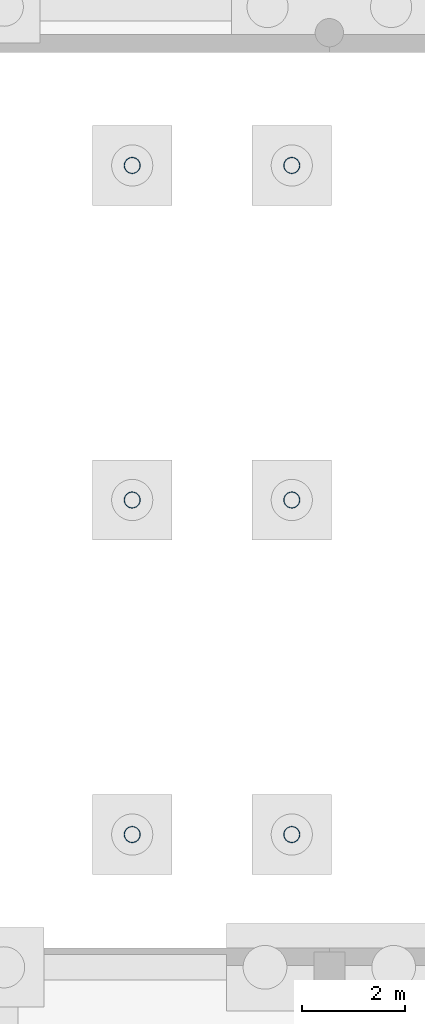
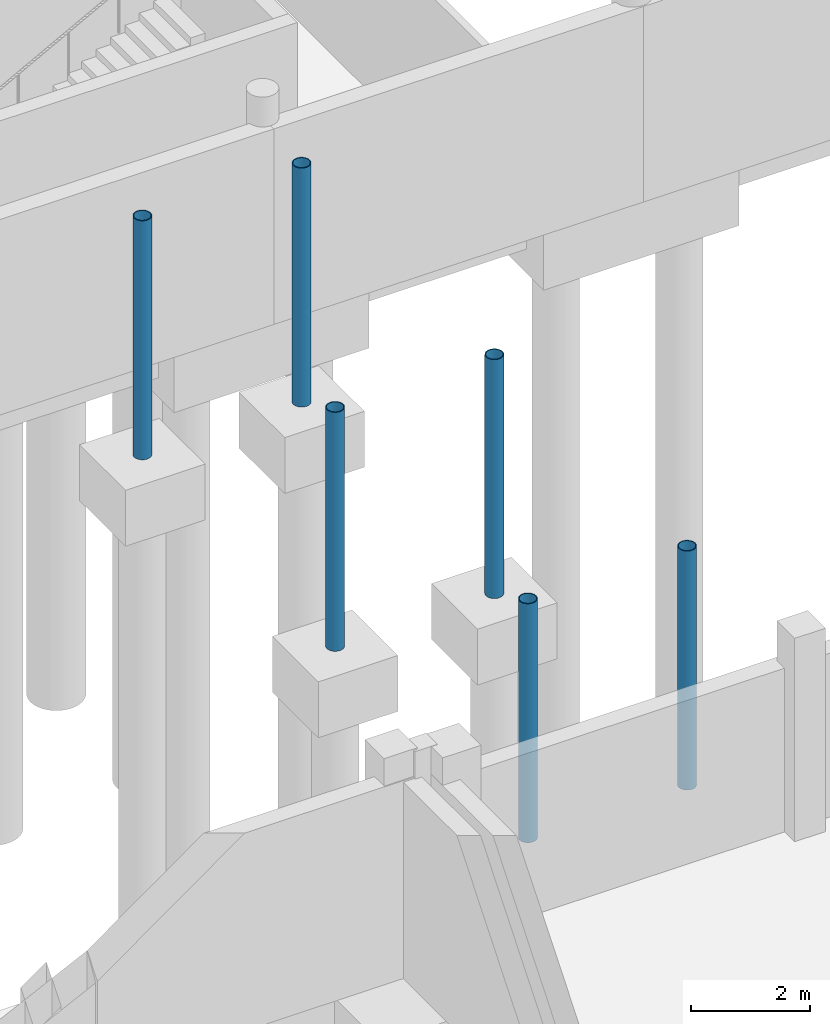
# One storey, part 12 of 41: 6 columns.
"""IFC4 building model written with IfcOpenShell, lengths in metres."""

from ifc_helpers import new_model, si_unit, direction, frame, origin, origin_2d, place, context, subcontext, project, spatial, hollow_circle, extrude, material, material_profile, profile_set, type_object, element, save


model = new_model("IFC4")

# Units and contexts
model_context = context("Model", 3, precision=1e-05, world=origin(), true_north=direction((0.0, 1.0)))
body_context = subcontext(model_context, "Body", "Model", "MODEL_VIEW")
ifc_project = project(units=[si_unit("LENGTHUNIT", "METRE"), si_unit("AREAUNIT", "SQUARE_METRE"), si_unit("VOLUMEUNIT", "CUBIC_METRE"), si_unit("PLANEANGLEUNIT", "RADIAN"), si_unit("MASSUNIT", "GRAM", prefix="KILO")], contexts=[model_context])

# Site, building, storey
site_placement = place(None, origin())
site = spatial("IfcSite", under=ifc_project, at=site_placement, CompositionType="ELEMENT")
building_placement = place(site_placement, origin())
building = spatial("IfcBuilding", under=site, at=building_placement, Name="Vardoun Plaza Health Centre", CompositionType="ELEMENT")
storey_placement = place(building_placement, frame((0.0, 0.0, -4.5)))
storey = spatial("IfcBuildingStorey", under=building, at=storey_placement, Name="B1", CompositionType="ELEMENT", Elevation=-4.5)

# Columns
ifc_material = material(Name="Steel S355J2H", Category="steel")
ifc_material_profile = material_profile(ifc_material, hollow_circle(Radius=0.161865234375, WallThickness=0.01611328125, at=origin_2d()), Name="CHS 323.9x16.0")
ifc_profile_set = profile_set([ifc_material_profile], Name="Steel S355J2H")
column_type = type_object("IfcColumnType", Name="C-20", PredefinedType="COLUMN", material=ifc_profile_set)
for number, where, z_axis, x_axis, name in (
    (1, (51.25, 21.10009765625, -0.419921875), (0.0, 0.0, 1.0), (1.0, 0.0, 0.0), "Bridge BR-06 Court Pier W.1 (B1)"),
    (2, (51.25, 27.60009765625, -0.419921875), (0.0, 0.0, 1.0), (1.0, 0.0, 0.0), "Bridge BR-06 Court Pier W.2 (B1)"),
    (3, (51.25, 34.10009765625, -0.419921875), (0.0, 0.0, 1.0), (1.0, 0.0, 0.0), "Bridge BR-06 Court Pier W.3 (B1)"),
    (4, (54.35009765625, 21.10009765625, -0.419921875), (0.0, 0.0, 1.0), (1.0, 0.0, 0.0), "Bridge BR-06 Court Pier E.1 (B1)"),
    (5, (54.35009765625, 27.60009765625, -0.419921875), (0.0, 0.0, 1.0), (1.0, 0.0, 0.0), "Bridge BR-06 Court Pier E.2 (B1)"),
    (6, (54.35009765625, 34.10009765625, -0.419921875), (0.0, 0.0, 1.0), (1.0, 0.0, 0.0), "Bridge BR-06 Court Pier E.3 (B1)"),
):
    element("IfcColumn", number, at=place(storey_placement, frame(where, z_axis=z_axis, x_axis=x_axis)), inside=storey, type_object=column_type, Name=name, PredefinedType="COLUMN", context=body_context, shape_type="SweptSolid", body=[
        extrude(hollow_circle(Radius=0.161865234375, WallThickness=0.01611328125, at=origin_2d()), origin(), (0.0, 0.0, 1.0), 4.919921875),
    ])

save(model, "model.ifc")
